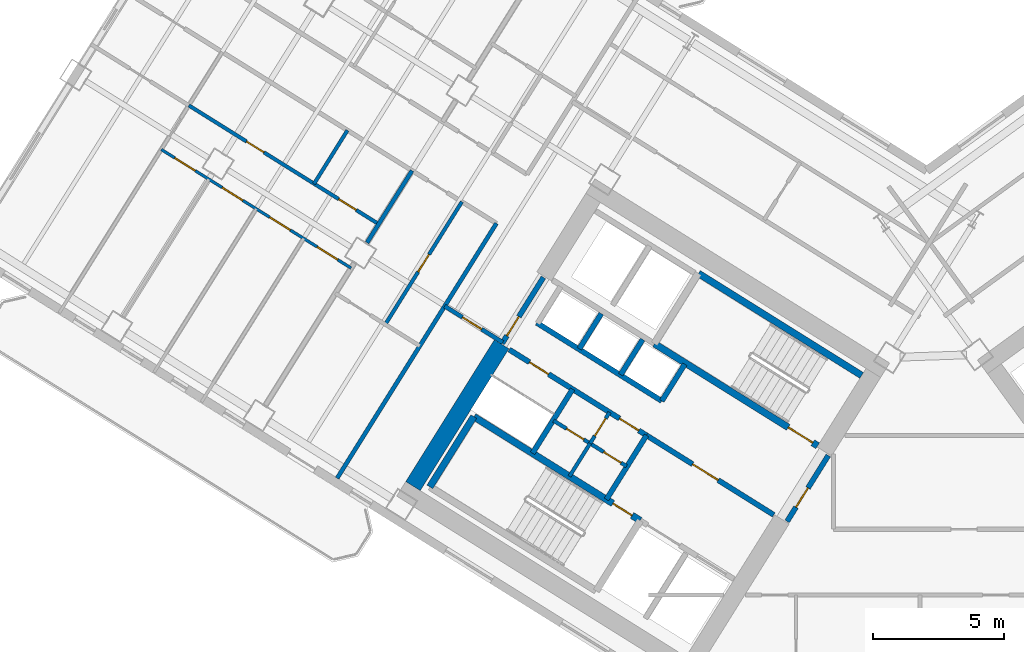
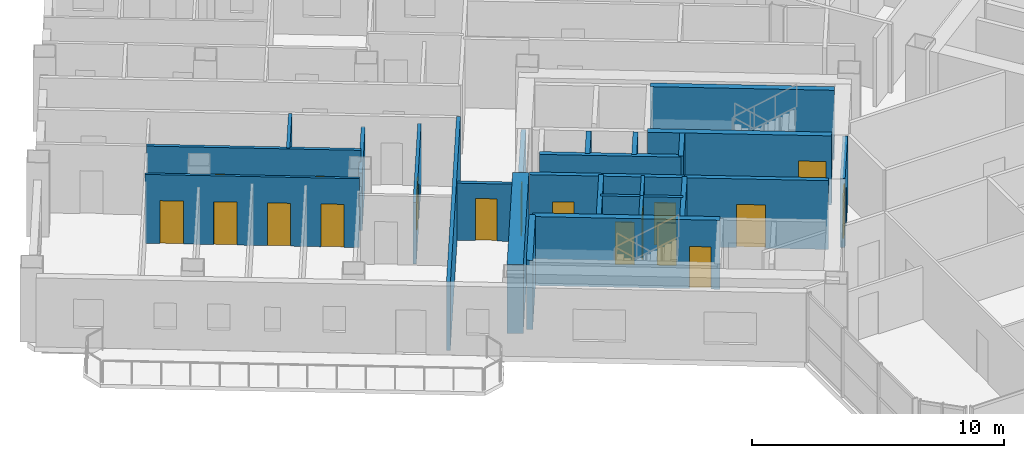
# One storey, part 12 of 21: 25 walls, 18 doors, 18 openings.
"""IFC4 building model written with IfcOpenShell, lengths in metres."""

from ifc_helpers import new_model, si_unit, direction, frame, frame_2d, origin, place, context, subcontext, project, spatial, rectangle, extrude, source, transform, mapped, material, layer, layer_set, type_object, element, fill, save


model = new_model("IFC4")

# Units and contexts
model_context = context("Model", 3, precision=1e-05, world=origin(), true_north=direction((0.0, 1.0)))
body_context = subcontext(model_context, "Body", "Model", "MODEL_VIEW")
ifc_project = project(units=[si_unit("LENGTHUNIT", "METRE"), si_unit("AREAUNIT", "SQUARE_METRE"), si_unit("VOLUMEUNIT", "CUBIC_METRE"), si_unit("PLANEANGLEUNIT", "RADIAN"), si_unit("MASSUNIT", "GRAM", prefix="KILO")], contexts=[model_context])

# Site, building, storey
site_placement = place(None, origin())
site = spatial("IfcSite", under=ifc_project, at=site_placement, CompositionType="ELEMENT")
building_placement = place(site_placement, origin())
building = spatial("IfcBuilding", under=site, at=building_placement, Name="Tlacorven Tower", CompositionType="ELEMENT")
storey_placement = place(building_placement, frame((0.0, 0.0, 93.60009765625)))
storey = spatial("IfcBuildingStorey", under=building, at=storey_placement, Name="L23", CompositionType="ELEMENT", Elevation=93.60009765625)

# Wall
ifc_material_1 = material(Name="Concrete C60/75", Category="concrete")
ifc_layer_1 = layer(ifc_material_1, 0.64990234375)
ifc_layer_set_1 = layer_set([ifc_layer_1], Name="Concrete C60/75")
wall_type_1 = type_object("IfcWallType", Name="WL-COR-650", PredefinedType="SHEAR", material=ifc_layer_set_1)
wall_1_placement = place(storey_placement, frame((26.006591796875, 24.975830078125, 0.0), z_axis=(0.0, 0.0, 1.0), x_axis=(-0.529916319127, -0.848049936456, 0.0)))
element("IfcWall", 1, at=wall_1_placement, inside=storey, type_object=wall_type_1, Name="L23 W core end wall E2.2", PredefinedType="SHEAR", context=body_context, shape_type="SweptSolid", body=[
    extrude(rectangle(XDim=6.375, YDim=0.64990234375, at=frame_2d((3.1875, 0.0))), origin(), (0.0, 0.0, 1.0), 3.349853515625),
])

# Wall, opening, door
ifc_material_2 = material(Name="Gypsum plasterboard acoustic partition", Category="gypsum")
ifc_layer_2 = layer(ifc_material_2, 0.159912109375)
ifc_layer_set_2 = layer_set([ifc_layer_2], Name="Gypsum plasterboard acoustic partition")
wall_type_2 = type_object("IfcWallType", Name="WL-DEM-160", PredefinedType="PARTITIONING", material=ifc_layer_set_2)
wall_2_placement = place(storey_placement, frame((26.048828125, 25.043701171875, 0.0), z_axis=(0.0, 0.0, 1.0), x_axis=(-0.848050851465, 0.529914854792, 0.0)))
wall_2 = element("IfcWall", 2, at=wall_2_placement, inside=storey, type_object=wall_type_2, Name="L23 partition 50", PredefinedType="PARTITIONING", context=body_context, shape_type="SweptSolid", body=[
    extrude(rectangle(XDim=2.60986328125, YDim=0.159912109375, at=frame_2d((1.304931640625, 0.0))), origin(), (0.0, 0.0, 1.0), 2.77490234375),
])
opening_1_placement = place(wall_2_placement, frame((0.949951171875, 0.0, 0.0)))
opening_1 = element("IfcOpeningElement", 3, at=opening_1_placement, cuts=wall_2, Name="Opening D19", PredefinedType="OPENING", context=body_context, shape_type="SweptSolid", body=[
    extrude(rectangle(XDim=0.860107421875, YDim=2.050048828125, at=frame_2d((0.43017578125, 1.02490234375))), frame((0.0, 0.08984375, 0.0), z_axis=(0.0, -1.0, 0.0), x_axis=(1.0, 0.0, 0.0)), (0.0, 0.0, 1.0), 0.179931640625),
])
ifc_material_3 = material(Name="Fire-rated steel door assembly", Category="steel")
door_type_1 = type_object("IfcDoorType", Name="DR-RSR-FD60-0860", OperationType="NOTDEFINED", PredefinedType="DOOR", material=ifc_material_3)
shared_shape_1 = source(origin(), body_context, "Body", "SweptSolid", [
    extrude(rectangle(XDim=0.860107421875, YDim=2.050048828125, at=frame_2d((0.43017578125, 1.02490234375))), frame((0.0, 0.02490234375, 0.0), z_axis=(0.0, -1.0, 0.0), x_axis=(1.0, 0.0, 0.0)), (0.0, 0.0, 1.0), 0.050048828125),
])
door_1_placement = place(opening_1_placement, origin())
door_1 = element("IfcDoor", 4, at=door_1_placement, inside=storey, type_object=door_type_1, Name="L23 door 021", OperationType="SINGLE_SWING_LEFT", OverallHeight=2.050048828125, OverallWidth=0.860107421875, PredefinedType="DOOR", context=body_context, shape_type="MappedRepresentation", body=[
    mapped(shared_shape_1, transform((0.0, 0.0, 0.0), scale=1.0)),
])
fill(opening_1, door_1)

# Walls
wall_3_placement = place(storey_placement, frame((25.806884765625, 29.58154296875, 0.0), z_axis=(0.0, 0.0, 1.0), x_axis=(-0.529920357077, -0.848047413271, 0.0)))
element("IfcWall", 5, at=wall_3_placement, inside=storey, type_object=wall_type_2, Name="L23 partition 52", PredefinedType="PARTITIONING", context=body_context, shape_type="SweptSolid", body=[
    extrude(rectangle(XDim=11.4501953125, YDim=0.159912109375, at=frame_2d((5.72509765625, 0.0))), origin(), (0.0, 0.0, 1.0), 3.33984375),
])
wall_4_placement = place(storey_placement, frame((22.5927734375, 31.58984375, 0.0), z_axis=(0.0, 0.0, 1.0), x_axis=(-0.529924383291, -0.848044897393, 0.0)))
element("IfcWall", 6, at=wall_4_placement, inside=storey, type_object=wall_type_2, Name="L23 WN Demising Wall 1", PredefinedType="PARTITIONING", context=body_context, shape_type="SweptSolid", body=[
    extrude(rectangle(XDim=3.23779296875, YDim=0.159912109375, at=frame_2d((1.618896484375, 0.0))), origin(), (0.0, 0.0, 1.0), 2.77490234375),
])

# Wall, openings, doors
ifc_material_4 = material(Name="Gypsum plasterboard partition", Category="gypsum")
ifc_layer_3 = layer(ifc_material_4, 0.110107421875)
ifc_layer_set_3 = layer_set([ifc_layer_3], Name="Gypsum plasterboard partition")
wall_type_3 = type_object("IfcWallType", Name="WL-INT-110", PredefinedType="PARTITIONING", material=ifc_layer_set_3)
wall_5_placement = place(storey_placement, frame((20.271728515625, 27.87548828125, 0.0), z_axis=(0.0, 0.0, 1.0), x_axis=(-0.848056204746, 0.529906287557, 0.0)))
wall_5 = element("IfcWall", 7, at=wall_5_placement, inside=storey, type_object=wall_type_3, Name="L23 partition 64", PredefinedType="PARTITIONING", context=body_context, shape_type="SweptSolid", body=[
    extrude(rectangle(XDim=8.527099609375, YDim=0.110107421875, at=frame_2d((4.263671875, 0.0))), origin(), (0.0, 0.0, 1.0), 3.33984375),
])
opening_2_placement = place(wall_5_placement, frame((0.60595703125, 0.0, 0.0)))
opening_2 = element("IfcOpeningElement", 8, at=opening_2_placement, cuts=wall_5, Name="Opening D12", PredefinedType="OPENING", context=body_context, shape_type="SweptSolid", body=[
    extrude(rectangle(XDim=0.919921875, YDim=2.080078125, at=frame_2d((0.4599609375, 1.0400390625))), frame((0.0, 0.06494140625, 0.0), z_axis=(0.0, -1.0, 0.0), x_axis=(1.0, 0.0, 0.0)), (0.0, 0.0, 1.0), 0.130126953125),
])
opening_3_placement = place(wall_5_placement, frame((2.738037109375, 0.0, 0.0)))
opening_3 = element("IfcOpeningElement", 9, at=opening_3_placement, cuts=wall_5, Name="Opening D12", PredefinedType="OPENING", context=body_context, shape_type="SweptSolid", body=[
    extrude(rectangle(XDim=0.919921875, YDim=2.080078125, at=frame_2d((0.4599609375, 1.0400390625))), frame((0.0, 0.06494140625, 0.0), z_axis=(0.0, -1.0, 0.0), x_axis=(1.0, 0.0, 0.0)), (0.0, 0.0, 1.0), 0.130126953125),
])
opening_4_placement = place(wall_5_placement, frame((4.869384765625, 0.0, 0.0)))
opening_4 = element("IfcOpeningElement", 10, at=opening_4_placement, cuts=wall_5, Name="Opening D12", PredefinedType="OPENING", context=body_context, shape_type="SweptSolid", body=[
    extrude(rectangle(XDim=0.919921875, YDim=2.080078125, at=frame_2d((0.4599609375, 1.0400390625))), frame((0.0, 0.06494140625, 0.0), z_axis=(0.0, -1.0, 0.0), x_axis=(1.0, 0.0, 0.0)), (0.0, 0.0, 1.0), 0.130126953125),
])
opening_5_placement = place(wall_5_placement, frame((7.0009765625, 0.0, 0.0)))
opening_5 = element("IfcOpeningElement", 11, at=opening_5_placement, cuts=wall_5, Name="Opening D12", PredefinedType="OPENING", context=body_context, shape_type="SweptSolid", body=[
    extrude(rectangle(XDim=0.919921875, YDim=2.080078125, at=frame_2d((0.4599609375, 1.0400390625))), frame((0.0, 0.06494140625, 0.0), z_axis=(0.0, -1.0, 0.0), x_axis=(1.0, 0.0, 0.0)), (0.0, 0.0, 1.0), 0.130126953125),
])
ifc_material_5 = material(Name="Powder-coated aluminium and timber door", Category="wood")
door_type_2 = type_object("IfcDoorType", Name="DR-INT-ROOM-0920", OperationType="NOTDEFINED", PredefinedType="DOOR", material=ifc_material_5)
shared_shape_2 = source(origin(), body_context, "Body", "SweptSolid", [
    extrude(rectangle(XDim=0.919921875, YDim=2.080078125, at=frame_2d((0.4599609375, 1.0400390625))), frame((0.0, 0.02490234375, 0.0), z_axis=(0.0, -1.0, 0.0), x_axis=(1.0, 0.0, 0.0)), (0.0, 0.0, 1.0), 0.050048828125),
])
door_2_placement = place(opening_2_placement, origin())
door_2 = element("IfcDoor", 12, at=door_2_placement, inside=storey, type_object=door_type_2, Name="L23 door 032", OperationType="SINGLE_SWING_LEFT", OverallHeight=2.080078125, OverallWidth=0.919921875, PredefinedType="DOOR", context=body_context, shape_type="MappedRepresentation", body=[
    mapped(shared_shape_2, transform((0.0, 0.0, 0.0), scale=1.0)),
])
fill(opening_2, door_2)
door_3_placement = place(opening_3_placement, origin())
door_3 = element("IfcDoor", 13, at=door_3_placement, inside=storey, type_object=door_type_2, Name="L23 door 033", OperationType="SINGLE_SWING_RIGHT", OverallHeight=2.080078125, OverallWidth=0.919921875, PredefinedType="DOOR", context=body_context, shape_type="MappedRepresentation", body=[
    mapped(shared_shape_2, transform((0.0, 0.0, 0.0), scale=1.0)),
])
fill(opening_3, door_3)
door_4_placement = place(opening_4_placement, origin())
door_4 = element("IfcDoor", 14, at=door_4_placement, inside=storey, type_object=door_type_2, Name="L23 door 034", OperationType="SINGLE_SWING_LEFT", OverallHeight=2.080078125, OverallWidth=0.919921875, PredefinedType="DOOR", context=body_context, shape_type="MappedRepresentation", body=[
    mapped(shared_shape_2, transform((0.0, 0.0, 0.0), scale=1.0)),
])
fill(opening_4, door_4)
door_5_placement = place(opening_5_placement, origin())
door_5 = element("IfcDoor", 15, at=door_5_placement, inside=storey, type_object=door_type_2, Name="L23 door 035", OperationType="SINGLE_SWING_RIGHT", OverallHeight=2.080078125, OverallWidth=0.919921875, PredefinedType="DOOR", context=body_context, shape_type="MappedRepresentation", body=[
    mapped(shared_shape_2, transform((0.0, 0.0, 0.0), scale=1.0)),
])
fill(opening_5, door_5)

# Wall, opening, door
ifc_material_6 = material(Name="Moisture-resistant gypsum plumbing wall", Category="gypsum")
ifc_layer_4 = layer(ifc_material_6, 0.139892578125)
ifc_layer_set_4 = layer_set([ifc_layer_4], Name="Moisture-resistant gypsum plumbing wall")
wall_type_4 = type_object("IfcWallType", Name="WL-PLM-140", PredefinedType="PLUMBINGWALL", material=ifc_layer_set_4)
wall_6_placement = place(storey_placement, frame((30.117431640625, 22.383544921875, 0.0), z_axis=(0.0, 0.0, 1.0), x_axis=(-0.529951914384, -0.848027693204, 0.0)))
wall_6 = element("IfcWall", 16, at=wall_6_placement, inside=storey, type_object=wall_type_4, Name="L23 partition 23", PredefinedType="PLUMBINGWALL", context=body_context, shape_type="SweptSolid", body=[
    extrude(rectangle(XDim=1.39990234375, YDim=0.139892578125, at=frame_2d((0.699951171875, 0.0))), origin(), (0.0, 0.0, 1.0), 3.33984375),
])
opening_6_placement = place(wall_6_placement, frame((0.280029296875, 0.0, 0.0)))
opening_6 = element("IfcOpeningElement", 17, at=opening_6_placement, cuts=wall_6, Name="Opening D22", PredefinedType="OPENING", context=body_context, shape_type="SweptSolid", body=[
    extrude(rectangle(XDim=0.780029296875, YDim=2.050048828125, at=frame_2d((0.39013671875, 1.02490234375))), frame((0.0, 0.080078125, 0.0), z_axis=(0.0, -1.0, 0.0), x_axis=(1.0, 0.0, 0.0)), (0.0, 0.0, 1.0), 0.159912109375),
])
door_type_3 = type_object("IfcDoorType", Name="DR-INT-WET-0780", OperationType="NOTDEFINED", PredefinedType="DOOR", material=ifc_material_5)
shared_shape_3 = source(origin(), body_context, "Body", "SweptSolid", [
    extrude(rectangle(XDim=0.780029296875, YDim=2.050048828125, at=frame_2d((0.39013671875, 1.02490234375))), frame((0.0, 0.02490234375, 0.0), z_axis=(0.0, -1.0, 0.0), x_axis=(1.0, 0.0, 0.0)), (0.0, 0.0, 1.0), 0.050048828125),
])
door_6_placement = place(opening_6_placement, origin())
door_6 = element("IfcDoor", 18, at=door_6_placement, inside=storey, type_object=door_type_3, Name="L23 door 008", OperationType="SINGLE_SWING_RIGHT", OverallHeight=2.050048828125, OverallWidth=0.780029296875, PredefinedType="DOOR", context=body_context, shape_type="MappedRepresentation", body=[
    mapped(shared_shape_3, transform((0.0, 0.0, 0.0), scale=1.0)),
])
fill(opening_6, door_6)

# Wall
wall_7_placement = place(storey_placement, frame((29.37548828125, 21.1962890625, 0.0), z_axis=(0.0, 0.0, 1.0), x_axis=(-0.529865479138, -0.848081702443, 0.0)))
element("IfcWall", 19, at=wall_7_placement, inside=storey, type_object=wall_type_4, Name="L23 partition 24", PredefinedType="PLUMBINGWALL", context=body_context, shape_type="SweptSolid", body=[
    extrude(rectangle(XDim=1.47998046875, YDim=0.139892578125, at=frame_2d((0.739990234375, 0.0))), origin(), (0.0, 0.0, 1.0), 3.33984375),
])

# Wall, openings, doors
wall_8_placement = place(storey_placement, frame((30.766357421875, 20.3271484375, 0.0), z_axis=(0.0, 0.0, 1.0), x_axis=(-0.848052663127, 0.529911955482, 0.0)))
wall_8 = element("IfcWall", 20, at=wall_8_placement, inside=storey, type_object=wall_type_4, Name="L23 partition 25", PredefinedType="PLUMBINGWALL", context=body_context, shape_type="SweptSolid", body=[
    extrude(rectangle(XDim=3.27978515625, YDim=0.139892578125, at=frame_2d((1.639892578125, 0.0))), origin(), (0.0, 0.0, 1.0), 3.33984375),
])
opening_7_placement = place(wall_8_placement, frame((0.25, 0.0, 0.0)))
opening_7 = element("IfcOpeningElement", 21, at=opening_7_placement, cuts=wall_8, Name="Opening D22", PredefinedType="OPENING", context=body_context, shape_type="SweptSolid", body=[
    extrude(rectangle(XDim=0.780029296875, YDim=2.050048828125, at=frame_2d((0.39013671875, 1.02490234375))), frame((0.0, 0.080078125, 0.0), z_axis=(0.0, -1.0, 0.0), x_axis=(1.0, 0.0, 0.0)), (0.0, 0.0, 1.0), 0.159912109375),
])
opening_8_placement = place(wall_8_placement, frame((1.919921875, 0.0, 0.0)))
opening_8 = element("IfcOpeningElement", 22, at=opening_8_placement, cuts=wall_8, Name="Opening D22", PredefinedType="OPENING", context=body_context, shape_type="SweptSolid", body=[
    extrude(rectangle(XDim=0.780029296875, YDim=2.050048828125, at=frame_2d((0.39013671875, 1.02490234375))), frame((0.0, 0.080078125, 0.0), z_axis=(0.0, -1.0, 0.0), x_axis=(1.0, 0.0, 0.0)), (0.0, 0.0, 1.0), 0.159912109375),
])
door_7_placement = place(opening_7_placement, origin())
door_7 = element("IfcDoor", 23, at=door_7_placement, inside=storey, type_object=door_type_3, Name="L23 door 009", OperationType="SINGLE_SWING_LEFT", OverallHeight=2.050048828125, OverallWidth=0.780029296875, PredefinedType="DOOR", context=body_context, shape_type="MappedRepresentation", body=[
    mapped(shared_shape_3, transform((0.0, 0.0, 0.0), scale=1.0)),
])
fill(opening_7, door_7)
door_8_placement = place(opening_8_placement, origin())
door_8 = element("IfcDoor", 24, at=door_8_placement, inside=storey, type_object=door_type_3, Name="L23 door 010", OperationType="SINGLE_SWING_RIGHT", OverallHeight=2.050048828125, OverallWidth=0.780029296875, PredefinedType="DOOR", context=body_context, shape_type="MappedRepresentation", body=[
    mapped(shared_shape_3, transform((0.0, 0.0, 0.0), scale=1.0)),
])
fill(opening_8, door_8)

# Wall, opening, door
wall_9_placement = place(storey_placement, frame((24.492431640625, 30.40283203125, 0.0), z_axis=(0.0, 0.0, 1.0), x_axis=(-0.529919283494, -0.848048084121, 0.0)))
wall_9 = element("IfcWall", 25, at=wall_9_placement, inside=storey, type_object=wall_type_4, Name="L23 partition 58", PredefinedType="PLUMBINGWALL", context=body_context, shape_type="SweptSolid", body=[
    extrude(rectangle(XDim=5.510009765625, YDim=0.139892578125, at=frame_2d((2.7548828125, 0.0))), origin(), (0.0, 0.0, 1.0), 2.994873046875),
])
opening_9_placement = place(wall_9_placement, frame((2.364990234375, 0.0, 0.0)))
opening_9 = element("IfcOpeningElement", 26, at=opening_9_placement, cuts=wall_9, Name="Opening D22", PredefinedType="OPENING", context=body_context, shape_type="SweptSolid", body=[
    extrude(rectangle(XDim=0.780029296875, YDim=2.050048828125, at=frame_2d((0.39013671875, 1.02490234375))), frame((0.0, 0.080078125, 0.0), z_axis=(0.0, -1.0, 0.0), x_axis=(1.0, 0.0, 0.0)), (0.0, 0.0, 1.0), 0.159912109375),
])
door_9_placement = place(opening_9_placement, origin())
door_9 = element("IfcDoor", 27, at=door_9_placement, inside=storey, type_object=door_type_3, Name="L23 door 025", OperationType="SINGLE_SWING_RIGHT", OverallHeight=2.050048828125, OverallWidth=0.780029296875, PredefinedType="DOOR", context=body_context, shape_type="MappedRepresentation", body=[
    mapped(shared_shape_3, transform((0.0, 0.0, 0.0), scale=1.0)),
])
fill(opening_9, door_9)

# Wall, openings, doors
wall_10_placement = place(storey_placement, frame((21.32080078125, 29.554443359375, 0.0), z_axis=(0.0, 0.0, 1.0), x_axis=(-0.84803529765, 0.529939745575, 0.0)))
wall_10 = element("IfcWall", 28, at=wall_10_placement, inside=storey, type_object=wall_type_4, Name="L23 partition 62", PredefinedType="PLUMBINGWALL", context=body_context, shape_type="SweptSolid", body=[
    extrude(rectangle(XDim=8.527099609375, YDim=0.139892578125, at=frame_2d((4.263671875, 0.0))), origin(), (0.0, 0.0, 1.0), 3.33984375),
])
opening_10_placement = place(wall_10_placement, frame((5.154541015625, 0.0, 0.0)))
opening_10 = element("IfcOpeningElement", 29, at=opening_10_placement, cuts=wall_10, Name="Opening D22", PredefinedType="OPENING", context=body_context, shape_type="SweptSolid", body=[
    extrude(rectangle(XDim=0.780029296875, YDim=2.050048828125, at=frame_2d((0.39013671875, 1.02490234375))), frame((0.0, 0.080078125, 0.0), z_axis=(0.0, -1.0, 0.0), x_axis=(1.0, 0.0, 0.0)), (0.0, 0.0, 1.0), 0.159912109375),
])
opening_11_placement = place(wall_10_placement, frame((1.010986328125, 0.0, 0.0)))
opening_11 = element("IfcOpeningElement", 30, at=opening_11_placement, cuts=wall_10, Name="Opening D22", PredefinedType="OPENING", context=body_context, shape_type="SweptSolid", body=[
    extrude(rectangle(XDim=0.780029296875, YDim=2.050048828125, at=frame_2d((0.39013671875, 1.02490234375))), frame((0.0, 0.080078125, 0.0), z_axis=(0.0, -1.0, 0.0), x_axis=(1.0, 0.0, 0.0)), (0.0, 0.0, 1.0), 0.159912109375),
])
door_10_placement = place(opening_10_placement, origin())
door_10 = element("IfcDoor", 31, at=door_10_placement, inside=storey, type_object=door_type_3, Name="L23 door 030", OperationType="SINGLE_SWING_LEFT", OverallHeight=2.050048828125, OverallWidth=0.780029296875, PredefinedType="DOOR", context=body_context, shape_type="MappedRepresentation", body=[
    mapped(shared_shape_3, transform((0.0, 0.0, 0.0), scale=1.0)),
])
fill(opening_10, door_10)
door_11_placement = place(opening_11_placement, origin())
door_11 = element("IfcDoor", 32, at=door_11_placement, inside=storey, type_object=door_type_3, Name="L23 door 031", OperationType="SINGLE_SWING_RIGHT", OverallHeight=2.050048828125, OverallWidth=0.780029296875, PredefinedType="DOOR", context=body_context, shape_type="MappedRepresentation", body=[
    mapped(shared_shape_3, transform((0.0, 0.0, 0.0), scale=1.0)),
])
fill(opening_11, door_11)

# Wall
wall_11_placement = place(storey_placement, frame((20.131591796875, 33.127685546875, 0.0), z_axis=(0.0, 0.0, 1.0), x_axis=(-0.529935194983, -0.848038141311, 0.0)))
element("IfcWall", 33, at=wall_11_placement, inside=storey, type_object=wall_type_4, Name="L23 partition 63", PredefinedType="PLUMBINGWALL", context=body_context, shape_type="SweptSolid", body=[
    extrude(rectangle(XDim=2.409912109375, YDim=0.139892578125, at=frame_2d((1.205078125, 0.0))), origin(), (0.0, 0.0, 1.0), 3.33984375),
])

# Wall, opening, door
ifc_material_7 = material(Name="Concrete C40/50", Category="concrete")
ifc_layer_5 = layer(ifc_material_7, 0.199951171875)
ifc_layer_set_5 = layer_set([ifc_layer_5], Name="Concrete C40/50")
wall_type_5 = type_object("IfcWallType", Name="WL-SHF-200", PredefinedType="STANDARD", material=ifc_layer_set_5)
wall_12_placement = place(storey_placement, frame((36.374267578125, 18.4736328125, 0.0), z_axis=(0.0, 0.0, 1.0), x_axis=(-0.848051071577, 0.529914502535, 0.0)))
wall_12 = element("IfcWall", 34, at=wall_12_placement, inside=storey, type_object=wall_type_5, Name="L23 Core W Smoke Lobby Wall", PredefinedType="STANDARD", context=body_context, shape_type="SweptSolid", body=[
    extrude(rectangle(XDim=5.718017578125, YDim=0.199951171875, at=frame_2d((2.85888671875, 0.0))), origin(), (0.0, 0.0, 1.0), 3.33984375),
])
opening_12_placement = place(wall_12_placement, frame((2.498046875, 0.0, 0.0)))
opening_12 = element("IfcOpeningElement", 35, at=opening_12_placement, cuts=wall_12, Name="Opening D09", PredefinedType="OPENING", context=body_context, shape_type="SweptSolid", body=[
    extrude(rectangle(XDim=1.14990234375, YDim=2.10009765625, at=frame_2d((0.574951171875, 1.050048828125))), frame((0.0, 0.10986328125, 0.0), z_axis=(0.0, -1.0, 0.0), x_axis=(1.0, 0.0, 0.0)), (0.0, 0.0, 1.0), 0.219970703125),
])
door_type_4 = type_object("IfcDoorType", Name="DR-FFL-FD60-1150", OperationType="NOTDEFINED", PredefinedType="DOOR", material=ifc_material_3)
shared_shape_4 = source(origin(), body_context, "Body", "SweptSolid", [
    extrude(rectangle(XDim=1.14990234375, YDim=2.10009765625, at=frame_2d((0.574951171875, 1.050048828125))), frame((0.0, 0.02490234375, 0.0), z_axis=(0.0, -1.0, 0.0), x_axis=(1.0, 0.0, 0.0)), (0.0, 0.0, 1.0), 0.050048828125),
])
door_12_placement = place(opening_12_placement, origin())
door_12 = element("IfcDoor", 36, at=door_12_placement, inside=storey, type_object=door_type_4, Name="L23 Firefighting Lobby W Fire Door", OperationType="SINGLE_SWING_LEFT", OverallHeight=2.10009765625, OverallWidth=1.14990234375, PredefinedType="DOOR", context=body_context, shape_type="MappedRepresentation", body=[
    mapped(shared_shape_4, transform((0.0, 0.0, 0.0), scale=1.0)),
])
fill(opening_12, door_12)

# Walls
wall_13_placement = place(storey_placement, frame((32.108154296875, 22.81396484375, 0.0), z_axis=(0.0, 0.0, 1.0), x_axis=(-0.848042229521, 0.529928652696, 0.0)))
element("IfcWall", 37, at=wall_13_placement, inside=storey, type_object=wall_type_5, Name="L23 partition 11", PredefinedType="STANDARD", context=body_context, shape_type="SweptSolid", body=[
    extrude(rectangle(XDim=5.6201171875, YDim=0.199951171875, at=frame_2d((2.81005859375, 0.0))), origin(), (0.0, 0.0, 1.0), 3.33984375),
])
wall_14_placement = place(storey_placement, frame((32.982421875, 24.21337890625, 0.0), z_axis=(0.0, 0.0, 1.0), x_axis=(-0.529839334948, -0.84809803628, 0.0)))
element("IfcWall", 38, at=wall_14_placement, inside=storey, type_object=wall_type_5, Name="L23 partition 12", PredefinedType="STANDARD", context=body_context, shape_type="SweptSolid", body=[
    extrude(rectangle(XDim=1.650146484375, YDim=0.199951171875, at=frame_2d((0.8251953125, 0.0))), origin(), (0.0, 0.0, 1.0), 3.33984375),
])
for number, where, z_axis, x_axis, name in (
    (39, (31.378662109375, 25.156494140625, 0.0), (0.0, 0.0, 1.0), (-0.529998940003, -0.847998304005, 0.0), "L23 partition 18"),
    (40, (29.80126953125, 26.14208984375, 0.0), (0.0, 0.0, 1.0), (-0.529998940003, -0.847998304005, 0.0), "L23 partition 19"),
):
    element("IfcWall", number, at=place(storey_placement, frame(where, z_axis=z_axis, x_axis=x_axis)), inside=storey, type_object=wall_type_5, Name=name, PredefinedType="STANDARD", context=body_context, shape_type="SweptSolid", body=[
        extrude(rectangle(XDim=1.580078125, YDim=0.199951171875, at=frame_2d((0.7900390625, 0.0))), origin(), (0.0, 0.0, 1.0), 3.33984375),
    ])
for number, where, z_axis, x_axis, name in (
    (41, (31.525146484375, 21.503662109375, 0.0), (0.0, 0.0, 1.0), (-0.529907497854, -0.848055448493, 0.0), "L23 partition 20"),
    (42, (28.709716796875, 23.26318359375, 0.0), (0.0, 0.0, 1.0), (-0.529907497854, -0.848055448493, 0.0), "L23 partition 21"),
):
    element("IfcWall", number, at=place(storey_placement, frame(where, z_axis=z_axis, x_axis=x_axis)), inside=storey, type_object=wall_type_5, Name=name, PredefinedType="STANDARD", context=body_context, shape_type="SweptSolid", body=[
        extrude(rectangle(XDim=2.8798828125, YDim=0.199951171875, at=frame_2d((1.43994140625, 0.0))), origin(), (0.0, 0.0, 1.0), 3.33984375),
    ])

# Wall, openings, doors
wall_15_placement = place(storey_placement, frame((31.525146484375, 21.503662109375, 0.0), z_axis=(0.0, 0.0, 1.0), x_axis=(-0.848044998614, 0.529924221305, 0.0)))
wall_15 = element("IfcWall", 43, at=wall_15_placement, inside=storey, type_object=wall_type_5, Name="L23 Core W North Service Wall", PredefinedType="STANDARD", context=body_context, shape_type="SweptSolid", body=[
    extrude(rectangle(XDim=6.16796875, YDim=0.199951171875, at=frame_2d((3.083984375, 0.0))), origin(), (0.0, 0.0, 1.0), 3.33984375),
])
opening_13_placement = place(wall_15_placement, frame((4.39990234375, 0.0, 0.0)))
opening_13 = element("IfcOpeningElement", 44, at=opening_13_placement, cuts=wall_15, Name="Opening D19", PredefinedType="OPENING", context=body_context, shape_type="SweptSolid", body=[
    extrude(rectangle(XDim=0.860107421875, YDim=2.050048828125, at=frame_2d((0.43017578125, 1.02490234375))), frame((0.0, 0.10986328125, 0.0), z_axis=(0.0, -1.0, 0.0), x_axis=(1.0, 0.0, 0.0)), (0.0, 0.0, 1.0), 0.219970703125),
])
opening_14_placement = place(wall_15_placement, frame((0.35009765625, 0.0, 0.0)))
opening_14 = element("IfcOpeningElement", 45, at=opening_14_placement, cuts=wall_15, Name="Opening D19", PredefinedType="OPENING", context=body_context, shape_type="SweptSolid", body=[
    extrude(rectangle(XDim=0.860107421875, YDim=2.050048828125, at=frame_2d((0.43017578125, 1.02490234375))), frame((0.0, 0.10986328125, 0.0), z_axis=(0.0, -1.0, 0.0), x_axis=(1.0, 0.0, 0.0)), (0.0, 0.0, 1.0), 0.219970703125),
])
door_13_placement = place(opening_13_placement, frame((0.860107421875, 0.0, 0.0), z_axis=(0.0, 0.0, 1.0), x_axis=(-1.0, 0.0, 0.0)))
door_13 = element("IfcDoor", 46, at=door_13_placement, inside=storey, type_object=door_type_1, Name="L23 Electrical Riser Access Door W", OperationType="SINGLE_SWING_RIGHT", OverallHeight=2.050048828125, OverallWidth=0.860107421875, PredefinedType="DOOR", context=body_context, shape_type="MappedRepresentation", body=[
    mapped(shared_shape_1, transform((0.0, 0.0, 0.0), scale=1.0)),
])
fill(opening_13, door_13)
door_14_placement = place(opening_14_placement, frame((0.860107421875, 0.0, 0.0), z_axis=(0.0, 0.0, 1.0), x_axis=(-1.0, 0.0, 0.0)))
door_14 = element("IfcDoor", 47, at=door_14_placement, inside=storey, type_object=door_type_1, Name="L23 Cleaning Room Access Door W", OperationType="SINGLE_SWING_LEFT", OverallHeight=2.050048828125, OverallWidth=0.860107421875, PredefinedType="DOOR", context=body_context, shape_type="MappedRepresentation", body=[
    mapped(shared_shape_1, transform((0.0, 0.0, 0.0), scale=1.0)),
])
fill(opening_14, door_14)

# Wall, opening, door
wall_16_placement = place(storey_placement, frame((27.59619140625, 27.52001953125, 0.0), z_axis=(0.0, 0.0, 1.0), x_axis=(-0.529865479138, -0.848081702443, 0.0)))
wall_16 = element("IfcWall", 48, at=wall_16_placement, inside=storey, type_object=wall_type_5, Name="L23 partition 48", PredefinedType="STANDARD", context=body_context, shape_type="SweptSolid", body=[
    extrude(rectangle(XDim=2.9599609375, YDim=0.199951171875, at=frame_2d((1.47998046875, 0.0))), origin(), (0.0, 0.0, 1.0), 3.33984375),
])
opening_15_placement = place(wall_16_placement, frame((1.760009765625, 0.0, 0.0)))
opening_15 = element("IfcOpeningElement", 49, at=opening_15_placement, cuts=wall_16, Name="Opening D19", PredefinedType="OPENING", context=body_context, shape_type="SweptSolid", body=[
    extrude(rectangle(XDim=0.860107421875, YDim=2.050048828125, at=frame_2d((0.43017578125, 1.02490234375))), frame((0.0, 0.10986328125, 0.0), z_axis=(0.0, -1.0, 0.0), x_axis=(1.0, 0.0, 0.0)), (0.0, 0.0, 1.0), 0.219970703125),
])
door_15_placement = place(opening_15_placement, origin())
door_15 = element("IfcDoor", 50, at=door_15_placement, inside=storey, type_object=door_type_1, Name="L23 door 022", OperationType="SINGLE_SWING_LEFT", OverallHeight=2.050048828125, OverallWidth=0.860107421875, PredefinedType="DOOR", context=body_context, shape_type="MappedRepresentation", body=[
    mapped(shared_shape_1, transform((0.0, 0.0, 0.0), scale=1.0)),
])
fill(opening_15, door_15)

wall_17_placement = place(storey_placement, frame((38.451416015625, 20.737060546875, 0.0), z_axis=(0.0, 0.0, 1.0), x_axis=(-0.529924799939, -0.848044637038, 0.0)))
wall_17 = element("IfcWall", 51, at=wall_17_placement, inside=storey, type_object=wall_type_5, Name="L23 partition 83", PredefinedType="STANDARD", context=body_context, shape_type="SweptSolid", body=[
    extrude(rectangle(XDim=2.9599609375, YDim=0.199951171875, at=frame_2d((1.47998046875, 0.0))), origin(), (0.0, 0.0, 1.0), 3.33984375),
])
opening_16_placement = place(wall_17_placement, frame((1.4599609375, 0.0, 0.0)))
opening_16 = element("IfcOpeningElement", 52, at=opening_16_placement, cuts=wall_17, Name="Opening D19", PredefinedType="OPENING", context=body_context, shape_type="SweptSolid", body=[
    extrude(rectangle(XDim=0.860107421875, YDim=2.050048828125, at=frame_2d((0.43017578125, 1.02490234375))), frame((0.0, 0.10986328125, 0.0), z_axis=(0.0, -1.0, 0.0), x_axis=(1.0, 0.0, 0.0)), (0.0, 0.0, 1.0), 0.219970703125),
])
door_16_placement = place(opening_16_placement, frame((0.860107421875, 0.0, 0.0), z_axis=(0.0, 0.0, 1.0), x_axis=(-1.0, 0.0, 0.0)))
door_16 = element("IfcDoor", 53, at=door_16_placement, inside=storey, type_object=door_type_1, Name="L23 door 052", OperationType="SINGLE_SWING_LEFT", OverallHeight=2.050048828125, OverallWidth=0.860107421875, PredefinedType="DOOR", context=body_context, shape_type="MappedRepresentation", body=[
    mapped(shared_shape_1, transform((0.0, 0.0, 0.0), scale=1.0)),
])
fill(opening_16, door_16)

ifc_material_8 = material(Name="Concrete C50/60", Category="concrete")
ifc_layer_6 = layer(ifc_material_8, 0.260009765625)
ifc_layer_set_6 = layer_set([ifc_layer_6], Name="Concrete C50/60")
wall_type_6 = type_object("IfcWallType", Name="WL-STW-260", PredefinedType="SHEAR", material=ifc_layer_set_6)
wall_18_placement = place(storey_placement, frame((31.279541015625, 18.26123046875, 0.0), z_axis=(0.0, 0.0, 1.0), x_axis=(-0.848051618787, 0.529913626805, 0.0)))
wall_18 = element("IfcWall", 54, at=wall_18_placement, inside=storey, type_object=wall_type_6, Name="L23 Stair W1 Lobby Shear Wall", PredefinedType="SHEAR", context=body_context, shape_type="SweptSolid", body=[
    extrude(rectangle(XDim=7.4599609375, YDim=0.260009765625, at=frame_2d((3.72998046875, 0.0))), origin(), (0.0, 0.0, 1.0), 3.349853515625),
])
opening_17_placement = place(wall_18_placement, frame((0.360107421875, 0.0, 0.0)))
opening_17 = element("IfcOpeningElement", 55, at=opening_17_placement, cuts=wall_18, Name="Opening D19", PredefinedType="OPENING", context=body_context, shape_type="SweptSolid", body=[
    extrude(rectangle(XDim=0.860107421875, YDim=2.050048828125, at=frame_2d((0.43017578125, 1.02490234375))), frame((0.0, 0.14013671875, 0.0), z_axis=(0.0, -1.0, 0.0), x_axis=(1.0, 0.0, 0.0)), (0.0, 0.0, 1.0), 0.280029296875),
])
door_17_placement = place(opening_17_placement, frame((0.860107421875, 0.0, 0.0), z_axis=(0.0, 0.0, 1.0), x_axis=(-1.0, 0.0, 0.0)))
door_17 = element("IfcDoor", 56, at=door_17_placement, inside=storey, type_object=door_type_1, Name="L23 Exit Stair W1 Fire Door", OperationType="SINGLE_SWING_LEFT", OverallHeight=2.050048828125, OverallWidth=0.860107421875, PredefinedType="DOOR", context=body_context, shape_type="MappedRepresentation", body=[
    mapped(shared_shape_1, transform((0.0, 0.0, 0.0), scale=1.0)),
])
fill(opening_17, door_17)

# Walls
wall_19_placement = place(storey_placement, frame((24.944580078125, 22.2197265625, 0.0), z_axis=(0.0, 0.0, 1.0), x_axis=(-0.529908658664, -0.84805472316, 0.0)))
element("IfcWall", 57, at=wall_19_placement, inside=storey, type_object=wall_type_6, Name="L23 Stair W1 East Shear Wall", PredefinedType="SHEAR", context=body_context, shape_type="SweptSolid", body=[
    extrude(rectangle(XDim=3.16015625, YDim=0.260009765625, at=frame_2d((1.580078125, 0.0))), origin(), (0.0, 0.0, 1.0), 3.349853515625),
])
wall_20_placement = place(storey_placement, frame((39.720947265625, 23.787841796875, 0.0), z_axis=(0.0, 0.0, 1.0), x_axis=(-0.848054434086, 0.529909121291, 0.0)))
element("IfcWall", 58, at=wall_20_placement, inside=storey, type_object=wall_type_6, Name="L23 Stair W2 Far Shear Wall", PredefinedType="SHEAR", context=body_context, shape_type="SweptSolid", body=[
    extrude(rectangle(XDim=7.330078125, YDim=0.260009765625, at=frame_2d((3.6650390625, 0.0))), origin(), (0.0, 0.0, 1.0), 3.349853515625),
])

# Wall, opening, door
wall_21_placement = place(storey_placement, frame((38.04638671875, 21.10791015625, 0.0), z_axis=(0.0, 0.0, 1.0), x_axis=(-0.848054434086, 0.529909121291, 0.0)))
wall_21 = element("IfcWall", 59, at=wall_21_placement, inside=storey, type_object=wall_type_6, Name="L23 Stair W2 Lobby Shear Wall", PredefinedType="SHEAR", context=body_context, shape_type="SweptSolid", body=[
    extrude(rectangle(XDim=7.330078125, YDim=0.260009765625, at=frame_2d((3.6650390625, 0.0))), origin(), (0.0, 0.0, 1.0), 3.349853515625),
])
opening_18_placement = place(wall_21_placement, frame((0.219970703125, 0.0, 0.0)))
opening_18 = element("IfcOpeningElement", 60, at=opening_18_placement, cuts=wall_21, Name="Opening D07", PredefinedType="OPENING", context=body_context, shape_type="SweptSolid", body=[
    extrude(rectangle(XDim=1.10009765625, YDim=2.10009765625, at=frame_2d((0.550048828125, 1.050048828125))), frame((0.0, 0.14013671875, 0.0), z_axis=(0.0, -1.0, 0.0), x_axis=(1.0, 0.0, 0.0)), (0.0, 0.0, 1.0), 0.280029296875),
])
door_type_5 = type_object("IfcDoorType", Name="DR-STR-FD90-1100", OperationType="NOTDEFINED", PredefinedType="DOOR", material=ifc_material_3)
shared_shape_5 = source(origin(), body_context, "Body", "SweptSolid", [
    extrude(rectangle(XDim=1.10009765625, YDim=2.10009765625, at=frame_2d((0.550048828125, 1.050048828125))), frame((0.0, 0.02490234375, 0.0), z_axis=(0.0, -1.0, 0.0), x_axis=(1.0, 0.0, 0.0)), (0.0, 0.0, 1.0), 0.050048828125),
])
door_18_placement = place(opening_18_placement, origin())
door_18 = element("IfcDoor", 61, at=door_18_placement, inside=storey, type_object=door_type_5, Name="L23 Exit Stair W2 Fire Door", OperationType="SINGLE_SWING_RIGHT", OverallHeight=2.10009765625, OverallWidth=1.10009765625, PredefinedType="DOOR", context=body_context, shape_type="MappedRepresentation", body=[
    mapped(shared_shape_5, transform((0.0, 0.0, 0.0), scale=1.0)),
])
fill(opening_18, door_18)

save(model, "model.ifc")
